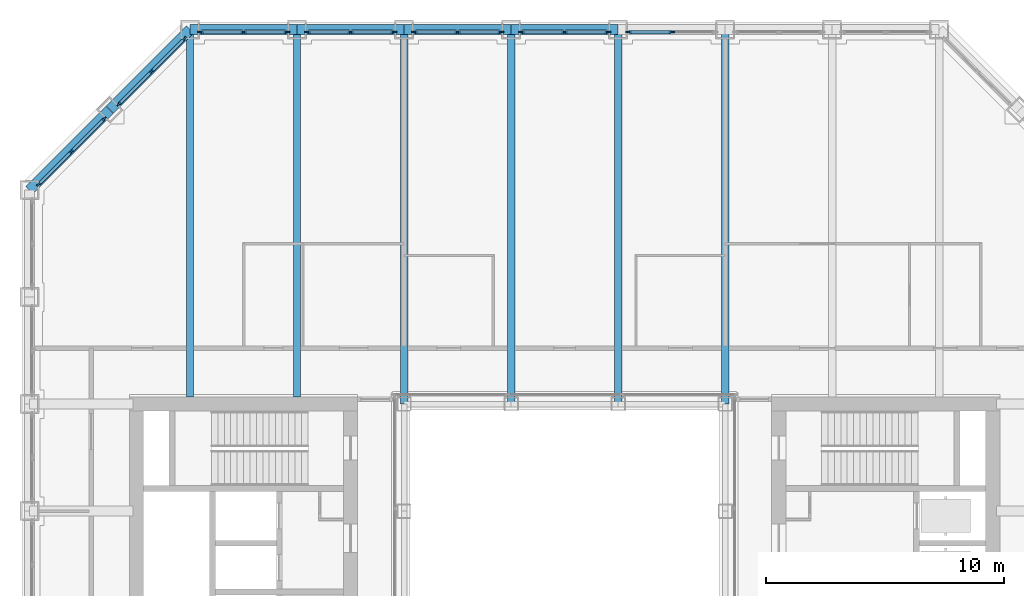
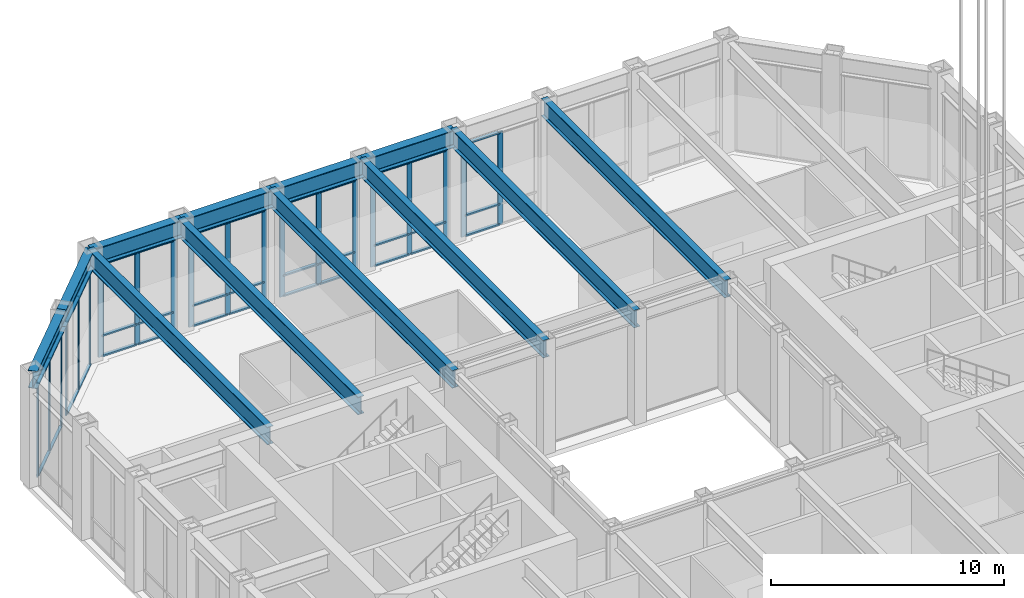
# One storey, part 8 of 22: 55 members, 12 beams, 7 elements without a shape of their own.
"""IFC4 building model written with IfcOpenShell, lengths in metres."""

from ifc_helpers import new_model, si_unit, direction, frame, origin, origin_2d, place, context, subcontext, project, spatial, rectangle, i_section, extrude, material, material_profile, profile_set, type_object, element, aggregate, save


model = new_model("IFC4")

# Units and contexts
model_context = context("Model", 3, precision=1e-05, world=origin(), true_north=direction((0.0, 1.0)))
body_context = subcontext(model_context, "Body", "Model", "MODEL_VIEW")
ifc_project = project(units=[si_unit("LENGTHUNIT", "METRE"), si_unit("AREAUNIT", "SQUARE_METRE"), si_unit("VOLUMEUNIT", "CUBIC_METRE"), si_unit("PLANEANGLEUNIT", "RADIAN"), si_unit("MASSUNIT", "GRAM", prefix="KILO")], contexts=[model_context])

# Site, building, storey
site_placement = place(None, origin())
site = spatial("IfcSite", under=ifc_project, at=site_placement, CompositionType="ELEMENT")
building_placement = place(site_placement, origin())
building = spatial("IfcBuilding", under=site, at=building_placement, Name="Msasa Ring Tower", CompositionType="ELEMENT")
storey_placement = place(building_placement, frame((0.0, 0.0, 112.39990234375)))
storey = spatial("IfcBuildingStorey", under=building, at=storey_placement, Name="L29", CompositionType="ELEMENT", Elevation=112.39990234375)

# Curtain wall, members
ifc_material_1 = material(Name="Aluminium curtain wall with clear glass", Category="aluminium")
curtain_wall_type_1 = type_object("IfcCurtainWallType", Name="CW-C CHAMFER CORNER CURTAIN WALL", PredefinedType="NOTDEFINED", material=ifc_material_1)
curtain_wall_1_placement = place(storey_placement, origin())
curtain_wall_1 = element("IfcCurtainWall", 1, at=curtain_wall_1_placement, inside=storey, type_object=curtain_wall_type_1, Name="Chamfer corner curtain wall NW L29", PredefinedType="NOTDEFINED")
ifc_material_2 = material(Name="Aluminium mullion", Category="aluminium")
ifc_material_profile_1 = material_profile(ifc_material_2, rectangle(XDim=0.06494140625, YDim=0.179931640625, at=origin_2d()), Name="AL 65x180")
ifc_profile_set_1 = profile_set([ifc_material_profile_1], Name="Aluminium mullion")
member_type_1 = type_object("IfcMemberType", Name="CW-C MULLION 65x180", PredefinedType="MULLION", material=ifc_profile_set_1)
member_1_placement = place(storey_placement, frame((-19.36376953125, 18.744873046875, 0.0), z_axis=(0.0, 0.0, 1.0), x_axis=(0.707106781187, -0.707106781187, 0.0)))
member_1 = element("IfcMember", 2, at=member_1_placement, type_object=member_type_1, Name="CW-C mullion 1", PredefinedType="MULLION", context=body_context, shape_type="SweptSolid", body=[
    extrude(rectangle(XDim=0.06494140625, YDim=0.179931640625, at=origin_2d()), origin(), (0.0, 0.0, 1.0), 4.879150390625),
])
member_2_placement = place(storey_placement, frame((-20.74169921875, 17.36669921875, 0.0), z_axis=(0.0, 0.0, 1.0), x_axis=(0.707106781187, -0.707106781187, 0.0)))
member_2 = element("IfcMember", 3, at=member_2_placement, type_object=member_type_1, Name="CW-C mullion 2", PredefinedType="MULLION", context=body_context, shape_type="SweptSolid", body=[
    extrude(rectangle(XDim=0.06494140625, YDim=0.179931640625, at=origin_2d()), origin(), (0.0, 0.0, 1.0), 4.879150390625),
])
member_3_placement = place(storey_placement, frame((-22.119873046875, 15.98876953125, 0.0), z_axis=(0.0, 0.0, 1.0), x_axis=(0.707106781187, -0.707106781187, 0.0)))
member_3 = element("IfcMember", 4, at=member_3_placement, type_object=member_type_1, Name="CW-C mullion 3", PredefinedType="MULLION", context=body_context, shape_type="SweptSolid", body=[
    extrude(rectangle(XDim=0.06494140625, YDim=0.179931640625, at=origin_2d()), origin(), (0.0, 0.0, 1.0), 4.879150390625),
])

curtain_wall_2_placement = place(storey_placement, origin())
curtain_wall_2 = element("IfcCurtainWall", 5, at=curtain_wall_2_placement, inside=storey, type_object=curtain_wall_type_1, Name="Chamfer corner curtain wall NW L29", PredefinedType="NOTDEFINED")
member_4_placement = place(storey_placement, frame((-15.98876953125, 22.119873046875, 0.0), z_axis=(0.0, 0.0, 1.0), x_axis=(0.707106781187, -0.707106781187, 0.0)))
member_4 = element("IfcMember", 6, at=member_4_placement, type_object=member_type_1, Name="CW-C mullion 1", PredefinedType="MULLION", context=body_context, shape_type="SweptSolid", body=[
    extrude(rectangle(XDim=0.06494140625, YDim=0.179931640625, at=origin_2d()), origin(), (0.0, 0.0, 1.0), 4.879150390625),
])
member_5_placement = place(storey_placement, frame((-17.36669921875, 20.74169921875, 0.0), z_axis=(0.0, 0.0, 1.0), x_axis=(0.707106781187, -0.707106781187, 0.0)))
member_5 = element("IfcMember", 7, at=member_5_placement, type_object=member_type_1, Name="CW-C mullion 2", PredefinedType="MULLION", context=body_context, shape_type="SweptSolid", body=[
    extrude(rectangle(XDim=0.06494140625, YDim=0.179931640625, at=origin_2d()), origin(), (0.0, 0.0, 1.0), 4.879150390625),
])
member_6_placement = place(storey_placement, frame((-18.744873046875, 19.36376953125, 0.0), z_axis=(0.0, 0.0, 1.0), x_axis=(0.707106781187, -0.707106781187, 0.0)))
member_6 = element("IfcMember", 8, at=member_6_placement, type_object=member_type_1, Name="CW-C mullion 3", PredefinedType="MULLION", context=body_context, shape_type="SweptSolid", body=[
    extrude(rectangle(XDim=0.06494140625, YDim=0.179931640625, at=origin_2d()), origin(), (0.0, 0.0, 1.0), 4.879150390625),
])

# Member
ifc_material_3 = material(Name="Aluminium transom", Category="aluminium")
ifc_material_profile_2 = material_profile(ifc_material_3, rectangle(XDim=0.139892578125, YDim=0.06494140625, at=origin_2d()), Name="AL 65x140")
ifc_profile_set_2 = profile_set([ifc_material_profile_2], Name="Aluminium transom")
member_type_2 = type_object("IfcMemberType", Name="CW-C TRANSOM 65x140", PredefinedType="USERDEFINED", material=ifc_profile_set_2)
member_7_placement = place(storey_placement, frame((-19.38671875, 18.721923828125, 0.03271484375), z_axis=(-0.707106781187, -0.707106781187, 0.0), x_axis=(0.707106781187, -0.707106781187, 0.0)))
member_7 = element("IfcMember", 9, at=member_7_placement, type_object=member_type_2, Name="CW-C transom 1.1", ObjectType="TRANSOM", PredefinedType="USERDEFINED", context=body_context, shape_type="SweptSolid", body=[
    extrude(rectangle(XDim=0.139892578125, YDim=0.06494140625, at=origin_2d()), origin(), (0.0, 0.0, 1.0), 1.8837890625),
])

member_8_placement = place(storey_placement, frame((-19.38671875, 18.721923828125, 4.8466796875), z_axis=(-0.707106781187, -0.707106781187, 0.0), x_axis=(0.707106781187, -0.707106781187, 0.0)))
member_8 = element("IfcMember", 10, at=member_8_placement, type_object=member_type_2, Name="CW-C transom 1.2", ObjectType="TRANSOM", PredefinedType="USERDEFINED", context=body_context, shape_type="SweptSolid", body=[
    extrude(rectangle(XDim=0.139892578125, YDim=0.06494140625, at=origin_2d()), origin(), (0.0, 0.0, 1.0), 1.8837890625),
])

member_9_placement = place(storey_placement, frame((-20.764892578125, 17.34375, 0.03271484375), z_axis=(-0.707106781187, -0.707106781187, 0.0), x_axis=(0.707106781187, -0.707106781187, 0.0)))
member_9 = element("IfcMember", 11, at=member_9_placement, type_object=member_type_2, Name="CW-C transom 2.1", ObjectType="TRANSOM", PredefinedType="USERDEFINED", context=body_context, shape_type="SweptSolid", body=[
    extrude(rectangle(XDim=0.139892578125, YDim=0.06494140625, at=origin_2d()), origin(), (0.0, 0.0, 1.0), 1.8837890625),
])

member_10_placement = place(storey_placement, frame((-20.764892578125, 17.34375, 4.8466796875), z_axis=(-0.707106781187, -0.707106781187, 0.0), x_axis=(0.707106781187, -0.707106781187, 0.0)))
member_10 = element("IfcMember", 12, at=member_10_placement, type_object=member_type_2, Name="CW-C transom 2.2", ObjectType="TRANSOM", PredefinedType="USERDEFINED", context=body_context, shape_type="SweptSolid", body=[
    extrude(rectangle(XDim=0.139892578125, YDim=0.06494140625, at=origin_2d()), origin(), (0.0, 0.0, 1.0), 1.8837890625),
])

aggregate(curtain_wall_1, [member_1, member_2, member_3, member_7, member_8, member_9, member_10])

member_11_placement = place(storey_placement, frame((-16.01171875, 22.096923828125, 0.03271484375), z_axis=(-0.707106781187, -0.707106781187, 0.0), x_axis=(0.707106781187, -0.707106781187, 0.0)))
member_11 = element("IfcMember", 13, at=member_11_placement, type_object=member_type_2, Name="CW-C transom 1.1", ObjectType="TRANSOM", PredefinedType="USERDEFINED", context=body_context, shape_type="SweptSolid", body=[
    extrude(rectangle(XDim=0.139892578125, YDim=0.06494140625, at=origin_2d()), origin(), (0.0, 0.0, 1.0), 1.8837890625),
])

member_12_placement = place(storey_placement, frame((-16.01171875, 22.096923828125, 4.8466796875), z_axis=(-0.707106781187, -0.707106781187, 0.0), x_axis=(0.707106781187, -0.707106781187, 0.0)))
member_12 = element("IfcMember", 14, at=member_12_placement, type_object=member_type_2, Name="CW-C transom 1.2", ObjectType="TRANSOM", PredefinedType="USERDEFINED", context=body_context, shape_type="SweptSolid", body=[
    extrude(rectangle(XDim=0.139892578125, YDim=0.06494140625, at=origin_2d()), origin(), (0.0, 0.0, 1.0), 1.8837890625),
])

member_13_placement = place(storey_placement, frame((-17.389892578125, 20.71875, 0.03271484375), z_axis=(-0.707106781187, -0.707106781187, 0.0), x_axis=(0.707106781187, -0.707106781187, 0.0)))
member_13 = element("IfcMember", 15, at=member_13_placement, type_object=member_type_2, Name="CW-C transom 2.1", ObjectType="TRANSOM", PredefinedType="USERDEFINED", context=body_context, shape_type="SweptSolid", body=[
    extrude(rectangle(XDim=0.139892578125, YDim=0.06494140625, at=origin_2d()), origin(), (0.0, 0.0, 1.0), 1.8837890625),
])

member_14_placement = place(storey_placement, frame((-17.389892578125, 20.71875, 4.8466796875), z_axis=(-0.707106781187, -0.707106781187, 0.0), x_axis=(0.707106781187, -0.707106781187, 0.0)))
member_14 = element("IfcMember", 16, at=member_14_placement, type_object=member_type_2, Name="CW-C transom 2.2", ObjectType="TRANSOM", PredefinedType="USERDEFINED", context=body_context, shape_type="SweptSolid", body=[
    extrude(rectangle(XDim=0.139892578125, YDim=0.06494140625, at=origin_2d()), origin(), (0.0, 0.0, 1.0), 1.8837890625),
])

aggregate(curtain_wall_2, [member_4, member_5, member_6, member_11, member_12, member_13, member_14])

# Curtain wall, members
ifc_material_4 = material(Name="Aluminium curtain wall with clear glass", Category="aluminium")
curtain_wall_type_2 = type_object("IfcCurtainWallType", Name="CW-S SKY LOBBY CURTAIN WALL", PredefinedType="NOTDEFINED", material=ifc_material_4)
curtain_wall_3_placement = place(storey_placement, origin())
curtain_wall_3 = element("IfcCurtainWall", 17, at=curtain_wall_3_placement, inside=storey, type_object=curtain_wall_type_2, Name="Sky lobby curtain wall N L29", PredefinedType="NOTDEFINED")
ifc_material_5 = material(Name="Aluminium mullion", Category="aluminium")
ifc_material_profile_3 = material_profile(ifc_material_5, rectangle(XDim=0.074951171875, YDim=0.25, at=origin_2d()), Name="AL 75x250")
ifc_profile_set_3 = profile_set([ifc_material_profile_3], Name="Aluminium mullion")
member_type_3 = type_object("IfcMemberType", Name="CW-S MULLION 75x250", PredefinedType="MULLION", material=ifc_profile_set_3)
member_15_placement = place(storey_placement, frame((-15.3076171875, 22.39990234375, 0.0), z_axis=(0.0, 0.0, 1.0), x_axis=(0.0, 1.0, 0.0)))
member_15 = element("IfcMember", 18, at=member_15_placement, type_object=member_type_3, Name="CW-S mullion 1", PredefinedType="MULLION", context=body_context, shape_type="SweptSolid", body=[
    extrude(rectangle(XDim=0.074951171875, YDim=0.25, at=origin_2d()), origin(), (0.0, 0.0, 1.0), 4.879150390625),
])
member_16_placement = place(storey_placement, frame((-13.5, 22.39990234375, 0.0), z_axis=(0.0, 0.0, 1.0), x_axis=(0.0, 1.0, 0.0)))
member_16 = element("IfcMember", 19, at=member_16_placement, type_object=member_type_3, Name="CW-S mullion 2", PredefinedType="MULLION", context=body_context, shape_type="SweptSolid", body=[
    extrude(rectangle(XDim=0.074951171875, YDim=0.25, at=origin_2d()), origin(), (0.0, 0.0, 1.0), 4.879150390625),
])
member_17_placement = place(storey_placement, frame((-11.6923828125, 22.39990234375, 0.0), z_axis=(0.0, 0.0, 1.0), x_axis=(0.0, 1.0, 0.0)))
member_17 = element("IfcMember", 20, at=member_17_placement, type_object=member_type_3, Name="CW-S mullion 3", PredefinedType="MULLION", context=body_context, shape_type="SweptSolid", body=[
    extrude(rectangle(XDim=0.074951171875, YDim=0.25, at=origin_2d()), origin(), (0.0, 0.0, 1.0), 4.879150390625),
])

curtain_wall_4_placement = place(storey_placement, origin())
curtain_wall_4 = element("IfcCurtainWall", 21, at=curtain_wall_4_placement, inside=storey, type_object=curtain_wall_type_2, Name="Sky lobby curtain wall N L29", PredefinedType="NOTDEFINED")
member_18_placement = place(storey_placement, frame((-10.8076171875, 22.39990234375, 0.0), z_axis=(0.0, 0.0, 1.0), x_axis=(0.0, 1.0, 0.0)))
member_18 = element("IfcMember", 22, at=member_18_placement, type_object=member_type_3, Name="CW-S mullion 1", PredefinedType="MULLION", context=body_context, shape_type="SweptSolid", body=[
    extrude(rectangle(XDim=0.074951171875, YDim=0.25, at=origin_2d()), origin(), (0.0, 0.0, 1.0), 4.879150390625),
])
member_19_placement = place(storey_placement, frame((-9.0, 22.39990234375, 0.0), z_axis=(0.0, 0.0, 1.0), x_axis=(0.0, 1.0, 0.0)))
member_19 = element("IfcMember", 23, at=member_19_placement, type_object=member_type_3, Name="CW-S mullion 2", PredefinedType="MULLION", context=body_context, shape_type="SweptSolid", body=[
    extrude(rectangle(XDim=0.074951171875, YDim=0.25, at=origin_2d()), origin(), (0.0, 0.0, 1.0), 4.879150390625),
])
member_20_placement = place(storey_placement, frame((-7.1923828125, 22.39990234375, 0.0), z_axis=(0.0, 0.0, 1.0), x_axis=(0.0, 1.0, 0.0)))
member_20 = element("IfcMember", 24, at=member_20_placement, type_object=member_type_3, Name="CW-S mullion 3", PredefinedType="MULLION", context=body_context, shape_type="SweptSolid", body=[
    extrude(rectangle(XDim=0.074951171875, YDim=0.25, at=origin_2d()), origin(), (0.0, 0.0, 1.0), 4.879150390625),
])

curtain_wall_5_placement = place(storey_placement, origin())
curtain_wall_5 = element("IfcCurtainWall", 25, at=curtain_wall_5_placement, inside=storey, type_object=curtain_wall_type_2, Name="Sky lobby curtain wall N L29", PredefinedType="NOTDEFINED")
member_21_placement = place(storey_placement, frame((-6.3076171875, 22.39990234375, 0.0), z_axis=(0.0, 0.0, 1.0), x_axis=(0.0, 1.0, 0.0)))
member_21 = element("IfcMember", 26, at=member_21_placement, type_object=member_type_3, Name="CW-S mullion 1", PredefinedType="MULLION", context=body_context, shape_type="SweptSolid", body=[
    extrude(rectangle(XDim=0.074951171875, YDim=0.25, at=origin_2d()), origin(), (0.0, 0.0, 1.0), 4.879150390625),
])
member_22_placement = place(storey_placement, frame((-4.5, 22.39990234375, 0.0), z_axis=(0.0, 0.0, 1.0), x_axis=(0.0, 1.0, 0.0)))
member_22 = element("IfcMember", 27, at=member_22_placement, type_object=member_type_3, Name="CW-S mullion 2", PredefinedType="MULLION", context=body_context, shape_type="SweptSolid", body=[
    extrude(rectangle(XDim=0.074951171875, YDim=0.25, at=origin_2d()), origin(), (0.0, 0.0, 1.0), 4.879150390625),
])
member_23_placement = place(storey_placement, frame((-2.6923828125, 22.39990234375, 0.0), z_axis=(0.0, 0.0, 1.0), x_axis=(0.0, 1.0, 0.0)))
member_23 = element("IfcMember", 28, at=member_23_placement, type_object=member_type_3, Name="CW-S mullion 3", PredefinedType="MULLION", context=body_context, shape_type="SweptSolid", body=[
    extrude(rectangle(XDim=0.074951171875, YDim=0.25, at=origin_2d()), origin(), (0.0, 0.0, 1.0), 4.879150390625),
])

curtain_wall_6_placement = place(storey_placement, origin())
curtain_wall_6 = element("IfcCurtainWall", 29, at=curtain_wall_6_placement, inside=storey, type_object=curtain_wall_type_2, Name="Sky lobby curtain wall N L29", PredefinedType="NOTDEFINED")
member_24_placement = place(storey_placement, frame((-1.8076171875, 22.39990234375, 0.0), z_axis=(0.0, 0.0, 1.0), x_axis=(0.0, 1.0, 0.0)))
member_24 = element("IfcMember", 30, at=member_24_placement, type_object=member_type_3, Name="CW-S mullion 1", PredefinedType="MULLION", context=body_context, shape_type="SweptSolid", body=[
    extrude(rectangle(XDim=0.074951171875, YDim=0.25, at=origin_2d()), origin(), (0.0, 0.0, 1.0), 4.879150390625),
])
member_25_placement = place(storey_placement, frame((0.0, 22.39990234375, 0.0), z_axis=(0.0, 0.0, 1.0), x_axis=(0.0, 1.0, 0.0)))
member_25 = element("IfcMember", 31, at=member_25_placement, type_object=member_type_3, Name="CW-S mullion 2", PredefinedType="MULLION", context=body_context, shape_type="SweptSolid", body=[
    extrude(rectangle(XDim=0.074951171875, YDim=0.25, at=origin_2d()), origin(), (0.0, 0.0, 1.0), 4.879150390625),
])
member_26_placement = place(storey_placement, frame((1.8076171875, 22.39990234375, 0.0), z_axis=(0.0, 0.0, 1.0), x_axis=(0.0, 1.0, 0.0)))
member_26 = element("IfcMember", 32, at=member_26_placement, type_object=member_type_3, Name="CW-S mullion 3", PredefinedType="MULLION", context=body_context, shape_type="SweptSolid", body=[
    extrude(rectangle(XDim=0.074951171875, YDim=0.25, at=origin_2d()), origin(), (0.0, 0.0, 1.0), 4.879150390625),
])

curtain_wall_7_placement = place(storey_placement, origin())
curtain_wall_7 = element("IfcCurtainWall", 33, at=curtain_wall_7_placement, inside=storey, type_object=curtain_wall_type_2, Name="Sky lobby curtain wall N L29", PredefinedType="NOTDEFINED")
member_27_placement = place(storey_placement, frame((2.6923828125, 22.39990234375, 0.0), z_axis=(0.0, 0.0, 1.0), x_axis=(0.0, 1.0, 0.0)))
member_27 = element("IfcMember", 34, at=member_27_placement, type_object=member_type_3, Name="CW-S mullion 1", PredefinedType="MULLION", context=body_context, shape_type="SweptSolid", body=[
    extrude(rectangle(XDim=0.074951171875, YDim=0.25, at=origin_2d()), origin(), (0.0, 0.0, 1.0), 4.879150390625),
])
member_28_placement = place(storey_placement, frame((4.5, 22.39990234375, 0.0), z_axis=(0.0, 0.0, 1.0), x_axis=(0.0, 1.0, 0.0)))
member_28 = element("IfcMember", 35, at=member_28_placement, type_object=member_type_3, Name="CW-S mullion 2", PredefinedType="MULLION", context=body_context, shape_type="SweptSolid", body=[
    extrude(rectangle(XDim=0.074951171875, YDim=0.25, at=origin_2d()), origin(), (0.0, 0.0, 1.0), 4.879150390625),
])

# Member
ifc_material_6 = material(Name="Aluminium transom", Category="aluminium")
ifc_material_profile_4 = material_profile(ifc_material_6, rectangle(XDim=0.159912109375, YDim=0.074951171875, at=origin_2d()), Name="AL 75x160")
ifc_profile_set_4 = profile_set([ifc_material_profile_4], Name="Aluminium transom")
member_type_4 = type_object("IfcMemberType", Name="CW-S TRANSOM 75x160", PredefinedType="USERDEFINED", material=ifc_profile_set_4)
member_29_placement = place(storey_placement, frame((-15.27001953125, 22.39990234375, 0.03759765625), z_axis=(1.0, 0.0, 0.0), x_axis=(0.0, 1.0, 0.0)))
member_29 = element("IfcMember", 36, at=member_29_placement, type_object=member_type_4, Name="CW-S transom 1.1", ObjectType="TRANSOM", PredefinedType="USERDEFINED", context=body_context, shape_type="SweptSolid", body=[
    extrude(rectangle(XDim=0.159912109375, YDim=0.074951171875, at=origin_2d()), origin(), (0.0, 0.0, 1.0), 1.732421875),
])

member_30_placement = place(storey_placement, frame((-15.27001953125, 22.39990234375, 1.10009765625), z_axis=(1.0, 0.0, 0.0), x_axis=(0.0, 1.0, 0.0)))
member_30 = element("IfcMember", 37, at=member_30_placement, type_object=member_type_4, Name="CW-S transom 1.2", ObjectType="TRANSOM", PredefinedType="USERDEFINED", context=body_context, shape_type="SweptSolid", body=[
    extrude(rectangle(XDim=0.159912109375, YDim=0.074951171875, at=origin_2d()), origin(), (0.0, 0.0, 1.0), 1.732421875),
])

member_31_placement = place(storey_placement, frame((-15.27001953125, 22.39990234375, 4.841552734375), z_axis=(1.0, 0.0, 0.0), x_axis=(0.0, 1.0, 0.0)))
member_31 = element("IfcMember", 38, at=member_31_placement, type_object=member_type_4, Name="CW-S transom 1.3", ObjectType="TRANSOM", PredefinedType="USERDEFINED", context=body_context, shape_type="SweptSolid", body=[
    extrude(rectangle(XDim=0.159912109375, YDim=0.074951171875, at=origin_2d()), origin(), (0.0, 0.0, 1.0), 1.732421875),
])

member_32_placement = place(storey_placement, frame((-13.46240234375, 22.39990234375, 0.03759765625), z_axis=(1.0, 0.0, 0.0), x_axis=(0.0, 1.0, 0.0)))
member_32 = element("IfcMember", 39, at=member_32_placement, type_object=member_type_4, Name="CW-S transom 2.1", ObjectType="TRANSOM", PredefinedType="USERDEFINED", context=body_context, shape_type="SweptSolid", body=[
    extrude(rectangle(XDim=0.159912109375, YDim=0.074951171875, at=origin_2d()), origin(), (0.0, 0.0, 1.0), 1.732421875),
])

member_33_placement = place(storey_placement, frame((-13.46240234375, 22.39990234375, 1.10009765625), z_axis=(1.0, 0.0, 0.0), x_axis=(0.0, 1.0, 0.0)))
member_33 = element("IfcMember", 40, at=member_33_placement, type_object=member_type_4, Name="CW-S transom 2.2", ObjectType="TRANSOM", PredefinedType="USERDEFINED", context=body_context, shape_type="SweptSolid", body=[
    extrude(rectangle(XDim=0.159912109375, YDim=0.074951171875, at=origin_2d()), origin(), (0.0, 0.0, 1.0), 1.732421875),
])

member_34_placement = place(storey_placement, frame((-13.46240234375, 22.39990234375, 4.841552734375), z_axis=(1.0, 0.0, 0.0), x_axis=(0.0, 1.0, 0.0)))
member_34 = element("IfcMember", 41, at=member_34_placement, type_object=member_type_4, Name="CW-S transom 2.3", ObjectType="TRANSOM", PredefinedType="USERDEFINED", context=body_context, shape_type="SweptSolid", body=[
    extrude(rectangle(XDim=0.159912109375, YDim=0.074951171875, at=origin_2d()), origin(), (0.0, 0.0, 1.0), 1.732421875),
])

aggregate(curtain_wall_3, [member_15, member_16, member_17, member_29, member_30, member_31, member_32, member_33, member_34])

member_35_placement = place(storey_placement, frame((-10.77001953125, 22.39990234375, 0.03759765625), z_axis=(1.0, 0.0, 0.0), x_axis=(0.0, 1.0, 0.0)))
member_35 = element("IfcMember", 42, at=member_35_placement, type_object=member_type_4, Name="CW-S transom 1.1", ObjectType="TRANSOM", PredefinedType="USERDEFINED", context=body_context, shape_type="SweptSolid", body=[
    extrude(rectangle(XDim=0.159912109375, YDim=0.074951171875, at=origin_2d()), origin(), (0.0, 0.0, 1.0), 1.732421875),
])

member_36_placement = place(storey_placement, frame((-10.77001953125, 22.39990234375, 1.10009765625), z_axis=(1.0, 0.0, 0.0), x_axis=(0.0, 1.0, 0.0)))
member_36 = element("IfcMember", 43, at=member_36_placement, type_object=member_type_4, Name="CW-S transom 1.2", ObjectType="TRANSOM", PredefinedType="USERDEFINED", context=body_context, shape_type="SweptSolid", body=[
    extrude(rectangle(XDim=0.159912109375, YDim=0.074951171875, at=origin_2d()), origin(), (0.0, 0.0, 1.0), 1.732421875),
])

member_37_placement = place(storey_placement, frame((-10.77001953125, 22.39990234375, 4.841552734375), z_axis=(1.0, 0.0, 0.0), x_axis=(0.0, 1.0, 0.0)))
member_37 = element("IfcMember", 44, at=member_37_placement, type_object=member_type_4, Name="CW-S transom 1.3", ObjectType="TRANSOM", PredefinedType="USERDEFINED", context=body_context, shape_type="SweptSolid", body=[
    extrude(rectangle(XDim=0.159912109375, YDim=0.074951171875, at=origin_2d()), origin(), (0.0, 0.0, 1.0), 1.732421875),
])

member_38_placement = place(storey_placement, frame((-8.96240234375, 22.39990234375, 0.03759765625), z_axis=(1.0, 0.0, 0.0), x_axis=(0.0, 1.0, 0.0)))
member_38 = element("IfcMember", 45, at=member_38_placement, type_object=member_type_4, Name="CW-S transom 2.1", ObjectType="TRANSOM", PredefinedType="USERDEFINED", context=body_context, shape_type="SweptSolid", body=[
    extrude(rectangle(XDim=0.159912109375, YDim=0.074951171875, at=origin_2d()), origin(), (0.0, 0.0, 1.0), 1.732421875),
])

member_39_placement = place(storey_placement, frame((-8.96240234375, 22.39990234375, 1.10009765625), z_axis=(1.0, 0.0, 0.0), x_axis=(0.0, 1.0, 0.0)))
member_39 = element("IfcMember", 46, at=member_39_placement, type_object=member_type_4, Name="CW-S transom 2.2", ObjectType="TRANSOM", PredefinedType="USERDEFINED", context=body_context, shape_type="SweptSolid", body=[
    extrude(rectangle(XDim=0.159912109375, YDim=0.074951171875, at=origin_2d()), origin(), (0.0, 0.0, 1.0), 1.732421875),
])

member_40_placement = place(storey_placement, frame((-8.96240234375, 22.39990234375, 4.841552734375), z_axis=(1.0, 0.0, 0.0), x_axis=(0.0, 1.0, 0.0)))
member_40 = element("IfcMember", 47, at=member_40_placement, type_object=member_type_4, Name="CW-S transom 2.3", ObjectType="TRANSOM", PredefinedType="USERDEFINED", context=body_context, shape_type="SweptSolid", body=[
    extrude(rectangle(XDim=0.159912109375, YDim=0.074951171875, at=origin_2d()), origin(), (0.0, 0.0, 1.0), 1.732421875),
])

aggregate(curtain_wall_4, [member_18, member_19, member_20, member_35, member_36, member_37, member_38, member_39, member_40])

member_41_placement = place(storey_placement, frame((-6.27001953125, 22.39990234375, 0.03759765625), z_axis=(1.0, 0.0, 0.0), x_axis=(0.0, 1.0, 0.0)))
member_41 = element("IfcMember", 48, at=member_41_placement, type_object=member_type_4, Name="CW-S transom 1.1", ObjectType="TRANSOM", PredefinedType="USERDEFINED", context=body_context, shape_type="SweptSolid", body=[
    extrude(rectangle(XDim=0.159912109375, YDim=0.074951171875, at=origin_2d()), origin(), (0.0, 0.0, 1.0), 1.732421875),
])

member_42_placement = place(storey_placement, frame((-6.27001953125, 22.39990234375, 1.10009765625), z_axis=(1.0, 0.0, 0.0), x_axis=(0.0, 1.0, 0.0)))
member_42 = element("IfcMember", 49, at=member_42_placement, type_object=member_type_4, Name="CW-S transom 1.2", ObjectType="TRANSOM", PredefinedType="USERDEFINED", context=body_context, shape_type="SweptSolid", body=[
    extrude(rectangle(XDim=0.159912109375, YDim=0.074951171875, at=origin_2d()), origin(), (0.0, 0.0, 1.0), 1.732421875),
])

member_43_placement = place(storey_placement, frame((-6.27001953125, 22.39990234375, 4.841552734375), z_axis=(1.0, 0.0, 0.0), x_axis=(0.0, 1.0, 0.0)))
member_43 = element("IfcMember", 50, at=member_43_placement, type_object=member_type_4, Name="CW-S transom 1.3", ObjectType="TRANSOM", PredefinedType="USERDEFINED", context=body_context, shape_type="SweptSolid", body=[
    extrude(rectangle(XDim=0.159912109375, YDim=0.074951171875, at=origin_2d()), origin(), (0.0, 0.0, 1.0), 1.732421875),
])

member_44_placement = place(storey_placement, frame((-4.46240234375, 22.39990234375, 0.03759765625), z_axis=(1.0, 0.0, 0.0), x_axis=(0.0, 1.0, 0.0)))
member_44 = element("IfcMember", 51, at=member_44_placement, type_object=member_type_4, Name="CW-S transom 2.1", ObjectType="TRANSOM", PredefinedType="USERDEFINED", context=body_context, shape_type="SweptSolid", body=[
    extrude(rectangle(XDim=0.159912109375, YDim=0.074951171875, at=origin_2d()), origin(), (0.0, 0.0, 1.0), 1.732421875),
])

member_45_placement = place(storey_placement, frame((-4.46240234375, 22.39990234375, 1.10009765625), z_axis=(1.0, 0.0, 0.0), x_axis=(0.0, 1.0, 0.0)))
member_45 = element("IfcMember", 52, at=member_45_placement, type_object=member_type_4, Name="CW-S transom 2.2", ObjectType="TRANSOM", PredefinedType="USERDEFINED", context=body_context, shape_type="SweptSolid", body=[
    extrude(rectangle(XDim=0.159912109375, YDim=0.074951171875, at=origin_2d()), origin(), (0.0, 0.0, 1.0), 1.732421875),
])

member_46_placement = place(storey_placement, frame((-4.46240234375, 22.39990234375, 4.841552734375), z_axis=(1.0, 0.0, 0.0), x_axis=(0.0, 1.0, 0.0)))
member_46 = element("IfcMember", 53, at=member_46_placement, type_object=member_type_4, Name="CW-S transom 2.3", ObjectType="TRANSOM", PredefinedType="USERDEFINED", context=body_context, shape_type="SweptSolid", body=[
    extrude(rectangle(XDim=0.159912109375, YDim=0.074951171875, at=origin_2d()), origin(), (0.0, 0.0, 1.0), 1.732421875),
])

aggregate(curtain_wall_5, [member_21, member_22, member_23, member_41, member_42, member_43, member_44, member_45, member_46])

member_47_placement = place(storey_placement, frame((-1.77001953125, 22.39990234375, 0.03759765625), z_axis=(1.0, 0.0, 0.0), x_axis=(0.0, 1.0, 0.0)))
member_47 = element("IfcMember", 54, at=member_47_placement, type_object=member_type_4, Name="CW-S transom 1.1", ObjectType="TRANSOM", PredefinedType="USERDEFINED", context=body_context, shape_type="SweptSolid", body=[
    extrude(rectangle(XDim=0.159912109375, YDim=0.074951171875, at=origin_2d()), origin(), (0.0, 0.0, 1.0), 1.732421875),
])

member_48_placement = place(storey_placement, frame((-1.77001953125, 22.39990234375, 1.10009765625), z_axis=(1.0, 0.0, 0.0), x_axis=(0.0, 1.0, 0.0)))
member_48 = element("IfcMember", 55, at=member_48_placement, type_object=member_type_4, Name="CW-S transom 1.2", ObjectType="TRANSOM", PredefinedType="USERDEFINED", context=body_context, shape_type="SweptSolid", body=[
    extrude(rectangle(XDim=0.159912109375, YDim=0.074951171875, at=origin_2d()), origin(), (0.0, 0.0, 1.0), 1.732421875),
])

member_49_placement = place(storey_placement, frame((-1.77001953125, 22.39990234375, 4.841552734375), z_axis=(1.0, 0.0, 0.0), x_axis=(0.0, 1.0, 0.0)))
member_49 = element("IfcMember", 56, at=member_49_placement, type_object=member_type_4, Name="CW-S transom 1.3", ObjectType="TRANSOM", PredefinedType="USERDEFINED", context=body_context, shape_type="SweptSolid", body=[
    extrude(rectangle(XDim=0.159912109375, YDim=0.074951171875, at=origin_2d()), origin(), (0.0, 0.0, 1.0), 1.732421875),
])

member_50_placement = place(storey_placement, frame((0.03759765625, 22.39990234375, 0.03759765625), z_axis=(1.0, 0.0, 0.0), x_axis=(0.0, 1.0, 0.0)))
member_50 = element("IfcMember", 57, at=member_50_placement, type_object=member_type_4, Name="CW-S transom 2.1", ObjectType="TRANSOM", PredefinedType="USERDEFINED", context=body_context, shape_type="SweptSolid", body=[
    extrude(rectangle(XDim=0.159912109375, YDim=0.074951171875, at=origin_2d()), origin(), (0.0, 0.0, 1.0), 1.732421875),
])

member_51_placement = place(storey_placement, frame((0.03759765625, 22.39990234375, 1.10009765625), z_axis=(1.0, 0.0, 0.0), x_axis=(0.0, 1.0, 0.0)))
member_51 = element("IfcMember", 58, at=member_51_placement, type_object=member_type_4, Name="CW-S transom 2.2", ObjectType="TRANSOM", PredefinedType="USERDEFINED", context=body_context, shape_type="SweptSolid", body=[
    extrude(rectangle(XDim=0.159912109375, YDim=0.074951171875, at=origin_2d()), origin(), (0.0, 0.0, 1.0), 1.732421875),
])

member_52_placement = place(storey_placement, frame((0.03759765625, 22.39990234375, 4.841552734375), z_axis=(1.0, 0.0, 0.0), x_axis=(0.0, 1.0, 0.0)))
member_52 = element("IfcMember", 59, at=member_52_placement, type_object=member_type_4, Name="CW-S transom 2.3", ObjectType="TRANSOM", PredefinedType="USERDEFINED", context=body_context, shape_type="SweptSolid", body=[
    extrude(rectangle(XDim=0.159912109375, YDim=0.074951171875, at=origin_2d()), origin(), (0.0, 0.0, 1.0), 1.732421875),
])

aggregate(curtain_wall_6, [member_24, member_25, member_26, member_47, member_48, member_49, member_50, member_51, member_52])

member_53_placement = place(storey_placement, frame((2.72998046875, 22.39990234375, 0.03759765625), z_axis=(1.0, 0.0, 0.0), x_axis=(0.0, 1.0, 0.0)))
member_53 = element("IfcMember", 60, at=member_53_placement, type_object=member_type_4, Name="CW-S transom 1.1", ObjectType="TRANSOM", PredefinedType="USERDEFINED", context=body_context, shape_type="SweptSolid", body=[
    extrude(rectangle(XDim=0.159912109375, YDim=0.074951171875, at=origin_2d()), origin(), (0.0, 0.0, 1.0), 1.732421875),
])

member_54_placement = place(storey_placement, frame((2.72998046875, 22.39990234375, 1.10009765625), z_axis=(1.0, 0.0, 0.0), x_axis=(0.0, 1.0, 0.0)))
member_54 = element("IfcMember", 61, at=member_54_placement, type_object=member_type_4, Name="CW-S transom 1.2", ObjectType="TRANSOM", PredefinedType="USERDEFINED", context=body_context, shape_type="SweptSolid", body=[
    extrude(rectangle(XDim=0.159912109375, YDim=0.074951171875, at=origin_2d()), origin(), (0.0, 0.0, 1.0), 1.732421875),
])

member_55_placement = place(storey_placement, frame((2.72998046875, 22.39990234375, 4.841552734375), z_axis=(1.0, 0.0, 0.0), x_axis=(0.0, 1.0, 0.0)))
member_55 = element("IfcMember", 62, at=member_55_placement, type_object=member_type_4, Name="CW-S transom 1.3", ObjectType="TRANSOM", PredefinedType="USERDEFINED", context=body_context, shape_type="SweptSolid", body=[
    extrude(rectangle(XDim=0.159912109375, YDim=0.074951171875, at=origin_2d()), origin(), (0.0, 0.0, 1.0), 1.732421875),
])

aggregate(curtain_wall_7, [member_27, member_28, member_53, member_54, member_55])

# Beams
ifc_material_7 = material(Name="Steel S355", Category="steel")
ifc_material_profile_5 = material_profile(ifc_material_7, i_section(OverallWidth=0.3076171875, OverallDepth=0.926513671875, WebThickness=0.01953125, FlangeThickness=0.031982421875, FilletRadius=0.01904296875, at=origin_2d()), Name="UB 914x305x289")
ifc_profile_set_5 = profile_set([ifc_material_profile_5], Name="Steel S355")
beam_type_1 = type_object("IfcBeamType", Name="FB3 UB 914x305x289", PredefinedType="BEAM", material=ifc_profile_set_5)
for number, where, z_axis, x_axis, name in (
    (63, (-15.75, 22.5, 5.3369140625), (0.0, -1.0, 0.0), (1.0, 0.0, 0.0), "Floor beam N-15.75 under L30"),
    (64, (-11.25, 22.5, 5.3369140625), (0.0, -1.0, 0.0), (1.0, 0.0, 0.0), "Floor beam N-11.25 under L30"),
):
    element("IfcBeam", number, at=place(storey_placement, frame(where, z_axis=z_axis, x_axis=x_axis)), inside=storey, type_object=beam_type_1, Name=name, PredefinedType="BEAM", context=body_context, shape_type="SweptSolid", body=[
        extrude(i_section(OverallWidth=0.3076171875, OverallDepth=0.926513671875, WebThickness=0.01953125, FlangeThickness=0.031982421875, FilletRadius=0.01904296875, at=origin_2d()), origin(), (0.0, 0.0, 1.0), 15.449951171875),
    ])
for number, where, z_axis, x_axis, name in (
    (65, (-6.75, 22.5, 5.3369140625), (0.0, -1.0, 0.0), (1.0, 0.0, 0.0), "Floor beam N-6.75 under L30"),
    (66, (-2.25, 22.5, 5.3369140625), (0.0, -1.0, 0.0), (1.0, 0.0, 0.0), "Floor beam N-2.25 under L30"),
    (67, (2.25, 22.5, 5.3369140625), (0.0, -1.0, 0.0), (1.0, 0.0, 0.0), "Floor beam N+2.25 under L30"),
    (68, (6.75, 22.5, 5.3369140625), (0.0, -1.0, 0.0), (1.0, 0.0, 0.0), "Floor beam N+6.75 under L30"),
):
    element("IfcBeam", number, at=place(storey_placement, frame(where, z_axis=z_axis, x_axis=x_axis)), inside=storey, type_object=beam_type_1, Name=name, PredefinedType="BEAM", context=body_context, shape_type="SweptSolid", body=[
        extrude(i_section(OverallWidth=0.3076171875, OverallDepth=0.926513671875, WebThickness=0.01953125, FlangeThickness=0.031982421875, FilletRadius=0.01904296875, at=origin_2d()), origin(), (0.0, 0.0, 1.0), 15.75),
    ])
ifc_material_8 = material(Name="Steel S355", Category="steel")
ifc_material_profile_6 = material_profile(ifc_material_8, i_section(OverallWidth=0.42041015625, OverallDepth=0.9208984375, WebThickness=0.021484375, FlangeThickness=0.03662109375, FilletRadius=0.024169921875, at=origin_2d()), Name="UB 914x419x388")
ifc_profile_set_6 = profile_set([ifc_material_profile_6], Name="Steel S355")
beam_type_2 = type_object("IfcBeamType", Name="SB1 UB 914x419x388", PredefinedType="SPANDREL", material=ifc_profile_set_6)
for number, where, z_axis, x_axis, name in (
    (69, (2.25, 22.5, 5.339599609375), (-1.0, 0.0, 0.0), (0.0, -1.0, 0.0), "Spandrel N+2.25 to N-2.25 under L30"),
    (70, (-2.25, 22.5, 5.339599609375), (-1.0, 0.0, 0.0), (0.0, -1.0, 0.0), "Spandrel N-2.25 to N-6.75 under L30"),
    (71, (-6.75, 22.5, 5.339599609375), (-1.0, 0.0, 0.0), (0.0, -1.0, 0.0), "Spandrel N-6.75 to N-11.25 under L30"),
    (72, (-11.25, 22.5, 5.339599609375), (-1.0, 0.0, 0.0), (0.0, -1.0, 0.0), "Spandrel N-11.25 to N-15.75 under L30"),
):
    element("IfcBeam", number, at=place(storey_placement, frame(where, z_axis=z_axis, x_axis=x_axis)), inside=storey, type_object=beam_type_2, Name=name, PredefinedType="SPANDREL", context=body_context, shape_type="SweptSolid", body=[
        extrude(i_section(OverallWidth=0.42041015625, OverallDepth=0.9208984375, WebThickness=0.021484375, FlangeThickness=0.03662109375, FilletRadius=0.024169921875, at=origin_2d()), origin(), (0.0, 0.0, 1.0), 4.5),
    ])
for number, where, z_axis, x_axis, name in (
    (73, (-15.75, 22.5, 5.339599609375), (-0.707106781187, -0.707106781187, 0.0), (0.707106781187, -0.707106781187, 0.0), "Spandrel N-15.75 to NW under L30"),
    (74, (-19.125, 19.125, 5.339599609375), (-0.707106781187, -0.707106781187, 0.0), (0.707106781187, -0.707106781187, 0.0), "Spandrel NW to W+15.75 under L30"),
):
    element("IfcBeam", number, at=place(storey_placement, frame(where, z_axis=z_axis, x_axis=x_axis)), inside=storey, type_object=beam_type_2, Name=name, PredefinedType="SPANDREL", context=body_context, shape_type="SweptSolid", body=[
        extrude(i_section(OverallWidth=0.42041015625, OverallDepth=0.9208984375, WebThickness=0.021484375, FlangeThickness=0.03662109375, FilletRadius=0.024169921875, at=origin_2d()), origin(), (0.0, 0.0, 1.0), 4.77294921875),
    ])

save(model, "model.ifc")
